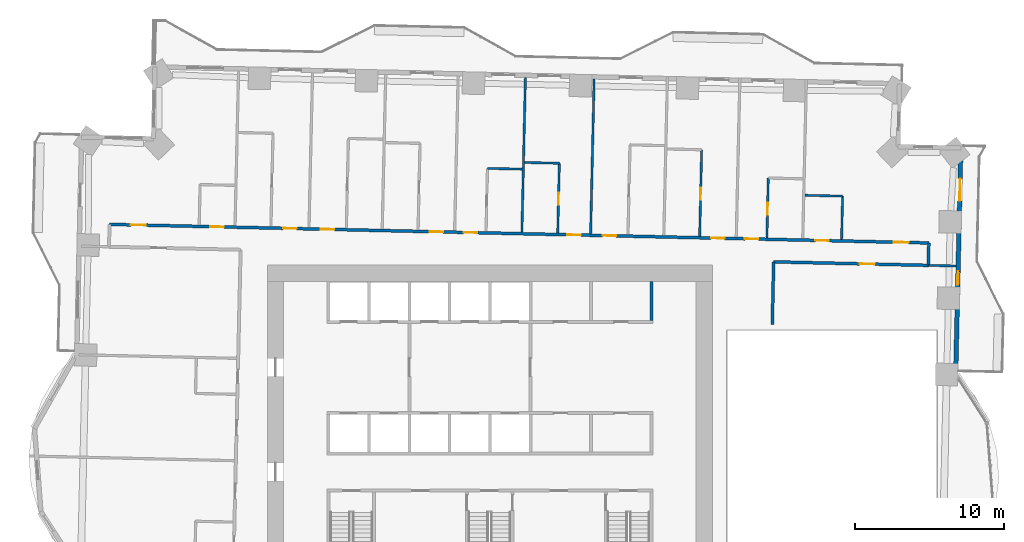
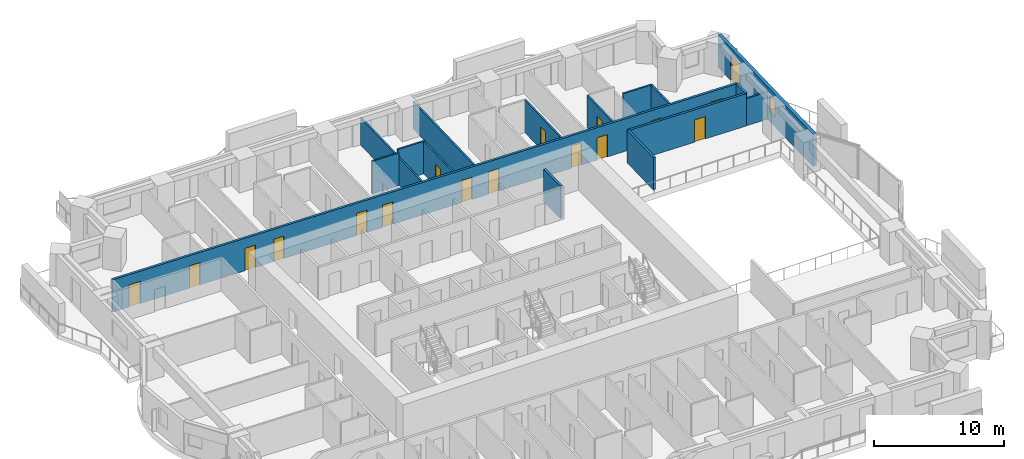
# One storey, part 12 of 19: 17 doors, 16 walls, 1 window, 18 openings.
"""IFC4 building model written with IfcOpenShell, lengths in metres."""

from ifc_helpers import new_model, si_unit, direction, frame, frame_2d, origin, place, context, subcontext, project, spatial, rectangle, extrude, material, layer, layer_set, type_object, element, fill, save


model = new_model("IFC4")

# Units and contexts
model_context = context("Model", 3, precision=1e-05, world=origin(), true_north=direction((0.0, 1.0)))
body_context = subcontext(model_context, "Body", "Model", "MODEL_VIEW")
ifc_project = project(units=[si_unit("LENGTHUNIT", "METRE"), si_unit("AREAUNIT", "SQUARE_METRE"), si_unit("VOLUMEUNIT", "CUBIC_METRE"), si_unit("PLANEANGLEUNIT", "RADIAN"), si_unit("MASSUNIT", "GRAM", prefix="KILO")], contexts=[model_context])

# Site, building, storey
site_placement = place(None, origin())
site = spatial("IfcSite", under=ifc_project, at=site_placement, CompositionType="ELEMENT")
building_placement = place(site_placement, origin())
building = spatial("IfcBuilding", under=site, at=building_placement, Name="Mangrove Gate Tower", CompositionType="ELEMENT")
storey_placement = place(building_placement, frame((0.0, 0.0, 63.89990234375)))
storey = spatial("IfcBuildingStorey", under=building, at=storey_placement, Name="L15", CompositionType="ELEMENT", Elevation=63.89990234375)

# Walls
ifc_material_1 = material(Name="Concrete C32/40", Category="concrete")
ifc_layer_1 = layer(ifc_material_1, 0.199951171875)
ifc_layer_set_1 = layer_set([ifc_layer_1], Name="Core room wall 200 C32/40")
wall_type_1 = type_object("IfcWallType", Name="Core room wall 200 C32/40", PredefinedType="STANDARD", material=ifc_layer_set_1)
wall_1_placement = place(storey_placement, frame((10.800048828125, 8.199951171875, 0.0), z_axis=(0.0, 0.0, 1.0), x_axis=(0.0, 1.0, 0.0)))
element("IfcWall", 1, at=wall_1_placement, inside=storey, type_object=wall_type_1, Name="WALL-L15-CORE-34", PredefinedType="STANDARD", context=body_context, shape_type="SweptSolid", body=[
    extrude(rectangle(XDim=2.60009765625, YDim=0.199951171875, at=frame_2d((1.300048828125, 0.0))), origin(), (0.0, 0.0, 1.0), 3.050048828125),
])
ifc_material_2 = material(Name="Gypsum board on steel stud, EI 60", Category="steel")
ifc_layer_2 = layer(ifc_material_2, 0.199951171875)
ifc_layer_set_2 = layer_set([ifc_layer_2], Name="Corridor wall EI 60")
wall_type_2 = type_object("IfcWallType", Name="Corridor wall EI 60", PredefinedType="PARTITIONING", material=ifc_layer_set_2)
wall_2_placement = place(storey_placement, frame((18.89111328125, 7.903076171875, 0.0), z_axis=(0.0, 0.0, 1.0), x_axis=(0.022807092041, 0.999739884446, 0.0)))
element("IfcWall", 2, at=wall_2_placement, inside=storey, type_object=wall_type_2, Name="WALL-L15-050", PredefinedType="PARTITIONING", context=body_context, shape_type="SweptSolid", body=[
    extrude(rectangle(XDim=4.206787109375, YDim=0.199951171875, at=frame_2d((2.103515625, 0.0))), origin(), (0.0, 0.0, 1.0), 3.050048828125),
])

# Wall, opening, door
wall_3_placement = place(storey_placement, frame((18.985107421875, 12.10888671875, 0.0), z_axis=(0.0, 0.0, 1.0), x_axis=(0.999742480592, -0.022693005506, 0.0)))
wall_3 = element("IfcWall", 3, at=wall_3_placement, inside=storey, type_object=wall_type_2, Name="WALL-L15-054", PredefinedType="PARTITIONING", context=body_context, shape_type="SweptSolid", body=[
    extrude(rectangle(XDim=10.349609375, YDim=0.199951171875, at=frame_2d((5.1748046875, 0.0))), origin(), (0.0, 0.0, 1.0), 3.050048828125),
])
opening_1_placement = place(wall_3_placement, frame((5.75, 0.0, 0.0)))
opening_1 = element("IfcOpeningElement", 4, at=opening_1_placement, cuts=wall_3, Name="Opening AD", PredefinedType="OPENING", context=body_context, shape_type="SweptSolid", body=[
    extrude(rectangle(XDim=1.0, YDim=2.10009765625, at=frame_2d((0.5, 1.050048828125))), frame((0.0, 0.10986328125, 0.0), z_axis=(0.0, -1.0, 0.0), x_axis=(1.0, 0.0, 0.0)), (0.0, 0.0, 1.0), 0.219970703125),
])
ifc_material_3 = material(Name="Timber door leaf", Category="wood")
door_type_1 = type_object("IfcDoorType", Name="Amenity door 1000", OperationType="SINGLE_SWING_LEFT", PredefinedType="DOOR", material=ifc_material_3)
door_1_placement = place(opening_1_placement, origin())
door_1 = element("IfcDoor", 5, at=door_1_placement, inside=storey, type_object=door_type_1, Name="DOOR-L15-KIT-c3a", OperationType="SINGLE_SWING_RIGHT", OverallHeight=2.10009765625, OverallWidth=1.0, PredefinedType="DOOR", context=body_context, shape_type="SweptSolid", body=[
    extrude(rectangle(XDim=1.0, YDim=2.10009765625, at=frame_2d((0.5, 1.050048828125))), frame((0.0, 0.02490234375, 0.0), z_axis=(0.0, -1.0, 0.0), x_axis=(1.0, 0.0, 0.0)), (0.0, 0.0, 1.0), 0.050048828125),
])
fill(opening_1, door_1)

# Wall
wall_4_placement = place(storey_placement, frame((29.333984375, 11.8740234375, 0.0), z_axis=(0.0, 0.0, 1.0), x_axis=(0.022617910375, 0.999744182344, 0.0)))
element("IfcWall", 6, at=wall_4_placement, inside=storey, type_object=wall_type_2, Name="WALL-L15-056", PredefinedType="PARTITIONING", context=body_context, shape_type="SweptSolid", body=[
    extrude(rectangle(XDim=1.50048828125, YDim=0.199951171875, at=frame_2d((0.750244140625, 0.0))), origin(), (0.0, 0.0, 1.0), 3.050048828125),
])

# Wall, openings, doors
wall_5_placement = place(storey_placement, frame((-25.4560546875, 14.617919921875, 0.0), z_axis=(0.0, 0.0, 1.0), x_axis=(0.999742687583, -0.0226838847, 0.0)))
wall_5 = element("IfcWall", 7, at=wall_5_placement, inside=storey, type_object=wall_type_2, Name="WALL-L15-057", PredefinedType="PARTITIONING", context=body_context, shape_type="SweptSolid", body=[
    extrude(rectangle(XDim=54.836181640625, YDim=0.199951171875, at=frame_2d((27.41796875, 0.0))), origin(), (0.0, 0.0, 1.0), 3.050048828125),
])
opening_2_placement = place(wall_5_placement, frame((52.492919921875, 0.0, 0.0)))
opening_2 = element("IfcOpeningElement", 8, at=opening_2_placement, cuts=wall_5, Name="Opening AD", PredefinedType="OPENING", context=body_context, shape_type="SweptSolid", body=[
    extrude(rectangle(XDim=1.0, YDim=2.10009765625, at=frame_2d((0.5, 1.050048828125))), frame((0.0, 0.10986328125, 0.0), z_axis=(0.0, -1.0, 0.0), x_axis=(1.0, 0.0, 0.0)), (0.0, 0.0, 1.0), 0.219970703125),
])
opening_3_placement = place(wall_5_placement, frame((47.25, 0.0, 0.0)))
opening_3 = element("IfcOpeningElement", 9, at=opening_3_placement, cuts=wall_5, Name="Opening SD", PredefinedType="OPENING", context=body_context, shape_type="SweptSolid", body=[
    extrude(rectangle(XDim=0.89990234375, YDim=2.10009765625, at=frame_2d((0.449951171875, 1.050048828125))), frame((0.0, 0.10986328125, 0.0), z_axis=(0.0, -1.0, 0.0), x_axis=(1.0, 0.0, 0.0)), (0.0, 0.0, 1.0), 0.219970703125),
])
opening_4_placement = place(wall_5_placement, frame((42.52490234375, 0.0, 0.0)))
opening_4 = element("IfcOpeningElement", 10, at=opening_4_placement, cuts=wall_5, Name="Opening BD", PredefinedType="OPENING", context=body_context, shape_type="SweptSolid", body=[
    extrude(rectangle(XDim=0.89990234375, YDim=2.10009765625, at=frame_2d((0.449951171875, 1.050048828125))), frame((0.0, 0.10986328125, 0.0), z_axis=(0.0, -1.0, 0.0), x_axis=(1.0, 0.0, 0.0)), (0.0, 0.0, 1.0), 0.219970703125),
])
opening_5_placement = place(wall_5_placement, frame((40.27490234375, 0.0, 0.0)))
opening_5 = element("IfcOpeningElement", 11, at=opening_5_placement, cuts=wall_5, Name="Opening BD", PredefinedType="OPENING", context=body_context, shape_type="SweptSolid", body=[
    extrude(rectangle(XDim=0.89990234375, YDim=2.10009765625, at=frame_2d((0.449951171875, 1.050048828125))), frame((0.0, 0.10986328125, 0.0), z_axis=(0.0, -1.0, 0.0), x_axis=(1.0, 0.0, 0.0)), (0.0, 0.0, 1.0), 0.219970703125),
])
opening_6_placement = place(wall_5_placement, frame((33.0, 0.0, 0.0)))
opening_6 = element("IfcOpeningElement", 12, at=opening_6_placement, cuts=wall_5, Name="Opening BD", PredefinedType="OPENING", context=body_context, shape_type="SweptSolid", body=[
    extrude(rectangle(XDim=0.89990234375, YDim=2.10009765625, at=frame_2d((0.449951171875, 1.050048828125))), frame((0.0, 0.10986328125, 0.0), z_axis=(0.0, -1.0, 0.0), x_axis=(1.0, 0.0, 0.0)), (0.0, 0.0, 1.0), 0.219970703125),
])
opening_7_placement = place(wall_5_placement, frame((30.64990234375, 0.0, 0.0)))
opening_7 = element("IfcOpeningElement", 13, at=opening_7_placement, cuts=wall_5, Name="Opening BD", PredefinedType="OPENING", context=body_context, shape_type="SweptSolid", body=[
    extrude(rectangle(XDim=0.89990234375, YDim=2.10009765625, at=frame_2d((0.449951171875, 1.050048828125))), frame((0.0, 0.10986328125, 0.0), z_axis=(0.0, -1.0, 0.0), x_axis=(1.0, 0.0, 0.0)), (0.0, 0.0, 1.0), 0.219970703125),
])
opening_8_placement = place(wall_5_placement, frame((23.699951171875, 0.0, 0.0)))
opening_8 = element("IfcOpeningElement", 14, at=opening_8_placement, cuts=wall_5, Name="Opening BD", PredefinedType="OPENING", context=body_context, shape_type="SweptSolid", body=[
    extrude(rectangle(XDim=0.89990234375, YDim=2.10009765625, at=frame_2d((0.449951171875, 1.050048828125))), frame((0.0, 0.10986328125, 0.0), z_axis=(0.0, -1.0, 0.0), x_axis=(1.0, 0.0, 0.0)), (0.0, 0.0, 1.0), 0.219970703125),
])
opening_9_placement = place(wall_5_placement, frame((21.425048828125, 0.0, 0.0)))
opening_9 = element("IfcOpeningElement", 15, at=opening_9_placement, cuts=wall_5, Name="Opening BD", PredefinedType="OPENING", context=body_context, shape_type="SweptSolid", body=[
    extrude(rectangle(XDim=0.89990234375, YDim=2.10009765625, at=frame_2d((0.449951171875, 1.050048828125))), frame((0.0, 0.10986328125, 0.0), z_axis=(0.0, -1.0, 0.0), x_axis=(1.0, 0.0, 0.0)), (0.0, 0.0, 1.0), 0.219970703125),
])
opening_10_placement = place(wall_5_placement, frame((14.14990234375, 0.0, 0.0)))
opening_10 = element("IfcOpeningElement", 16, at=opening_10_placement, cuts=wall_5, Name="Opening BD", PredefinedType="OPENING", context=body_context, shape_type="SweptSolid", body=[
    extrude(rectangle(XDim=0.89990234375, YDim=2.10009765625, at=frame_2d((0.449951171875, 1.050048828125))), frame((0.0, 0.10986328125, 0.0), z_axis=(0.0, -1.0, 0.0), x_axis=(1.0, 0.0, 0.0)), (0.0, 0.0, 1.0), 0.219970703125),
])
opening_11_placement = place(wall_5_placement, frame((11.625, 0.0, 0.0)))
opening_11 = element("IfcOpeningElement", 17, at=opening_11_placement, cuts=wall_5, Name="Opening BD", PredefinedType="OPENING", context=body_context, shape_type="SweptSolid", body=[
    extrude(rectangle(XDim=0.89990234375, YDim=2.10009765625, at=frame_2d((0.449951171875, 1.050048828125))), frame((0.0, 0.10986328125, 0.0), z_axis=(0.0, -1.0, 0.0), x_axis=(1.0, 0.0, 0.0)), (0.0, 0.0, 1.0), 0.219970703125),
])
opening_12_placement = place(wall_5_placement, frame((1.425048828125, 0.0, 0.0)))
opening_12 = element("IfcOpeningElement", 18, at=opening_12_placement, cuts=wall_5, Name="Opening AD", PredefinedType="OPENING", context=body_context, shape_type="SweptSolid", body=[
    extrude(rectangle(XDim=1.0, YDim=2.10009765625, at=frame_2d((0.5, 1.050048828125))), frame((0.0, 0.10986328125, 0.0), z_axis=(0.0, -1.0, 0.0), x_axis=(1.0, 0.0, 0.0)), (0.0, 0.0, 1.0), 0.219970703125),
])
opening_13_placement = place(wall_5_placement, frame((6.75, 0.0, 0.0)))
opening_13 = element("IfcOpeningElement", 19, at=opening_13_placement, cuts=wall_5, Name="Opening SD", PredefinedType="OPENING", context=body_context, shape_type="SweptSolid", body=[
    extrude(rectangle(XDim=0.89990234375, YDim=2.10009765625, at=frame_2d((0.449951171875, 1.050048828125))), frame((0.0, 0.10986328125, 0.0), z_axis=(0.0, -1.0, 0.0), x_axis=(1.0, 0.0, 0.0)), (0.0, 0.0, 1.0), 0.219970703125),
])
door_2_placement = place(opening_2_placement, origin())
door_2 = element("IfcDoor", 20, at=door_2_placement, inside=storey, type_object=door_type_1, Name="DOOR-L15-GAM-c3a", OperationType="SINGLE_SWING_LEFT", OverallHeight=2.10009765625, OverallWidth=1.0, PredefinedType="DOOR", context=body_context, shape_type="SweptSolid", body=[
    extrude(rectangle(XDim=1.0, YDim=2.10009765625, at=frame_2d((0.5, 1.050048828125))), frame((0.0, 0.02490234375, 0.0), z_axis=(0.0, -1.0, 0.0), x_axis=(1.0, 0.0, 0.0)), (0.0, 0.0, 1.0), 0.050048828125),
])
fill(opening_2, door_2)
door_3_placement = place(opening_12_placement, origin())
door_3 = element("IfcDoor", 21, at=door_3_placement, inside=storey, type_object=door_type_1, Name="DOOR-L15-KIT-c5a", OperationType="SINGLE_SWING_RIGHT", OverallHeight=2.10009765625, OverallWidth=1.0, PredefinedType="DOOR", context=body_context, shape_type="SweptSolid", body=[
    extrude(rectangle(XDim=1.0, YDim=2.10009765625, at=frame_2d((0.5, 1.050048828125))), frame((0.0, 0.02490234375, 0.0), z_axis=(0.0, -1.0, 0.0), x_axis=(1.0, 0.0, 0.0)), (0.0, 0.0, 1.0), 0.050048828125),
])
fill(opening_12, door_3)
ifc_material_4 = material(Name="Timber door leaf", Category="wood")
door_type_2 = type_object("IfcDoorType", Name="Bedroom door 900", OperationType="SINGLE_SWING_LEFT", PredefinedType="DOOR", material=ifc_material_4)
door_4_placement = place(opening_4_placement, origin())
door_4 = element("IfcDoor", 22, at=door_4_placement, inside=storey, type_object=door_type_2, Name="DOOR-L15-BED-c310", OperationType="SINGLE_SWING_RIGHT", OverallHeight=2.10009765625, OverallWidth=0.89990234375, PredefinedType="DOOR", context=body_context, shape_type="SweptSolid", body=[
    extrude(rectangle(XDim=0.89990234375, YDim=2.10009765625, at=frame_2d((0.449951171875, 1.050048828125))), frame((0.0, 0.02490234375, 0.0), z_axis=(0.0, -1.0, 0.0), x_axis=(1.0, 0.0, 0.0)), (0.0, 0.0, 1.0), 0.050048828125),
])
fill(opening_4, door_4)
door_5_placement = place(opening_5_placement, origin())
door_5 = element("IfcDoor", 23, at=door_5_placement, inside=storey, type_object=door_type_2, Name="DOOR-L15-BED-c311", OperationType="SINGLE_SWING_LEFT", OverallHeight=2.10009765625, OverallWidth=0.89990234375, PredefinedType="DOOR", context=body_context, shape_type="SweptSolid", body=[
    extrude(rectangle(XDim=0.89990234375, YDim=2.10009765625, at=frame_2d((0.449951171875, 1.050048828125))), frame((0.0, 0.02490234375, 0.0), z_axis=(0.0, -1.0, 0.0), x_axis=(1.0, 0.0, 0.0)), (0.0, 0.0, 1.0), 0.050048828125),
])
fill(opening_5, door_5)
door_6_placement = place(opening_6_placement, origin())
door_6 = element("IfcDoor", 24, at=door_6_placement, inside=storey, type_object=door_type_2, Name="DOOR-L15-BED-c412", OperationType="SINGLE_SWING_RIGHT", OverallHeight=2.10009765625, OverallWidth=0.89990234375, PredefinedType="DOOR", context=body_context, shape_type="SweptSolid", body=[
    extrude(rectangle(XDim=0.89990234375, YDim=2.10009765625, at=frame_2d((0.449951171875, 1.050048828125))), frame((0.0, 0.02490234375, 0.0), z_axis=(0.0, -1.0, 0.0), x_axis=(1.0, 0.0, 0.0)), (0.0, 0.0, 1.0), 0.050048828125),
])
fill(opening_6, door_6)
door_7_placement = place(opening_7_placement, origin())
door_7 = element("IfcDoor", 25, at=door_7_placement, inside=storey, type_object=door_type_2, Name="DOOR-L15-BED-c413", OperationType="SINGLE_SWING_LEFT", OverallHeight=2.10009765625, OverallWidth=0.89990234375, PredefinedType="DOOR", context=body_context, shape_type="SweptSolid", body=[
    extrude(rectangle(XDim=0.89990234375, YDim=2.10009765625, at=frame_2d((0.449951171875, 1.050048828125))), frame((0.0, 0.02490234375, 0.0), z_axis=(0.0, -1.0, 0.0), x_axis=(1.0, 0.0, 0.0)), (0.0, 0.0, 1.0), 0.050048828125),
])
fill(opening_7, door_7)
door_8_placement = place(opening_8_placement, origin())
door_8 = element("IfcDoor", 26, at=door_8_placement, inside=storey, type_object=door_type_2, Name="DOOR-L15-BED-c414", OperationType="SINGLE_SWING_RIGHT", OverallHeight=2.10009765625, OverallWidth=0.89990234375, PredefinedType="DOOR", context=body_context, shape_type="SweptSolid", body=[
    extrude(rectangle(XDim=0.89990234375, YDim=2.10009765625, at=frame_2d((0.449951171875, 1.050048828125))), frame((0.0, 0.02490234375, 0.0), z_axis=(0.0, -1.0, 0.0), x_axis=(1.0, 0.0, 0.0)), (0.0, 0.0, 1.0), 0.050048828125),
])
fill(opening_8, door_8)
door_9_placement = place(opening_9_placement, origin())
door_9 = element("IfcDoor", 27, at=door_9_placement, inside=storey, type_object=door_type_2, Name="DOOR-L15-BED-c515", OperationType="SINGLE_SWING_LEFT", OverallHeight=2.10009765625, OverallWidth=0.89990234375, PredefinedType="DOOR", context=body_context, shape_type="SweptSolid", body=[
    extrude(rectangle(XDim=0.89990234375, YDim=2.10009765625, at=frame_2d((0.449951171875, 1.050048828125))), frame((0.0, 0.02490234375, 0.0), z_axis=(0.0, -1.0, 0.0), x_axis=(1.0, 0.0, 0.0)), (0.0, 0.0, 1.0), 0.050048828125),
])
fill(opening_9, door_9)
door_10_placement = place(opening_10_placement, origin())
door_10 = element("IfcDoor", 28, at=door_10_placement, inside=storey, type_object=door_type_2, Name="DOOR-L15-BED-c516", OperationType="SINGLE_SWING_RIGHT", OverallHeight=2.10009765625, OverallWidth=0.89990234375, PredefinedType="DOOR", context=body_context, shape_type="SweptSolid", body=[
    extrude(rectangle(XDim=0.89990234375, YDim=2.10009765625, at=frame_2d((0.449951171875, 1.050048828125))), frame((0.0, 0.02490234375, 0.0), z_axis=(0.0, -1.0, 0.0), x_axis=(1.0, 0.0, 0.0)), (0.0, 0.0, 1.0), 0.050048828125),
])
fill(opening_10, door_10)
door_11_placement = place(opening_11_placement, origin())
door_11 = element("IfcDoor", 29, at=door_11_placement, inside=storey, type_object=door_type_2, Name="DOOR-L15-BED-c517", OperationType="SINGLE_SWING_LEFT", OverallHeight=2.10009765625, OverallWidth=0.89990234375, PredefinedType="DOOR", context=body_context, shape_type="SweptSolid", body=[
    extrude(rectangle(XDim=0.89990234375, YDim=2.10009765625, at=frame_2d((0.449951171875, 1.050048828125))), frame((0.0, 0.02490234375, 0.0), z_axis=(0.0, -1.0, 0.0), x_axis=(1.0, 0.0, 0.0)), (0.0, 0.0, 1.0), 0.050048828125),
])
fill(opening_11, door_11)
ifc_material_5 = material(Name="Timber door leaf", Category="wood")
door_type_3 = type_object("IfcDoorType", Name="Service room door 900", OperationType="SINGLE_SWING_LEFT", PredefinedType="DOOR", material=ifc_material_5)
door_12_placement = place(opening_3_placement, origin())
door_12 = element("IfcDoor", 30, at=door_12_placement, inside=storey, type_object=door_type_3, Name="DOOR-L15-AWC-c3a", OperationType="SINGLE_SWING_LEFT", OverallHeight=2.10009765625, OverallWidth=0.89990234375, PredefinedType="DOOR", context=body_context, shape_type="SweptSolid", body=[
    extrude(rectangle(XDim=0.89990234375, YDim=2.10009765625, at=frame_2d((0.449951171875, 1.050048828125))), frame((0.0, 0.02490234375, 0.0), z_axis=(0.0, -1.0, 0.0), x_axis=(1.0, 0.0, 0.0)), (0.0, 0.0, 1.0), 0.050048828125),
])
fill(opening_3, door_12)
door_13_placement = place(opening_13_placement, origin())
door_13 = element("IfcDoor", 31, at=door_13_placement, inside=storey, type_object=door_type_3, Name="DOOR-L15-WC-c5a", OperationType="SINGLE_SWING_RIGHT", OverallHeight=2.10009765625, OverallWidth=0.89990234375, PredefinedType="DOOR", context=body_context, shape_type="SweptSolid", body=[
    extrude(rectangle(XDim=0.89990234375, YDim=2.10009765625, at=frame_2d((0.449951171875, 1.050048828125))), frame((0.0, 0.02490234375, 0.0), z_axis=(0.0, -1.0, 0.0), x_axis=(1.0, 0.0, 0.0)), (0.0, 0.0, 1.0), 0.050048828125),
])
fill(opening_13, door_13)

# Wall, openings, door, window
ifc_material_6 = material(Name="Limestone", Category="masonry")
ifc_layer_3 = layer(ifc_material_6, 0.0400390625, Name="Limestone cladding")
ifc_material_7 = material(Name="Ventilated air gap")
ifc_layer_4 = layer(ifc_material_7, 0.0400390625, Name="Ventilated cavity")
ifc_material_8 = material(Name="Mineral wool insulation")
ifc_layer_5 = layer(ifc_material_8, 0.06005859375, Name="Insulation")
ifc_material_9 = material(Name="Breather membrane")
ifc_layer_6 = layer(ifc_material_9, 0.001953125, Name="Breather membrane")
ifc_material_10 = material(Name="Concrete C20/25 blockwork", Category="masonry")
ifc_layer_7 = layer(ifc_material_10, 0.14990234375, Name="Blockwork backing wall")
ifc_material_11 = material(Name="Gypsum plaster")
ifc_layer_8 = layer(ifc_material_11, 0.008056640625, Name="Internal plaster")
ifc_layer_set_3 = layer_set([ifc_layer_3, ifc_layer_4, ifc_layer_5, ifc_layer_6, ifc_layer_7, ifc_layer_8], Name="External wall 300 limestone cladding")
wall_type_3 = type_object("IfcWallType", Name="External wall 300 limestone cladding", PredefinedType="SOLIDWALL", material=ifc_layer_set_3)
wall_6_placement = place(storey_placement, frame((31.1650390625, 4.501953125, 0.0), z_axis=(0.0, 0.0, 1.0), x_axis=(0.022716307128, 0.999741951401, 0.0)))
wall_6 = element("IfcWall", 32, at=wall_6_placement, inside=storey, type_object=wall_type_3, Name="WALL-L15-E2", PredefinedType="SOLIDWALL", context=body_context, shape_type="SweptSolid", body=[
    extrude(rectangle(XDim=15.22900390625, YDim=0.300048828125, at=frame_2d((7.614501953125, 0.0))), origin(), (0.0, 0.0, 1.0), 3.050048828125),
])
opening_14_placement = place(wall_6_placement, frame((6.072021484375, 0.0, 0.89990234375)))
opening_14 = element("IfcOpeningElement", 33, at=opening_14_placement, cuts=wall_6, Name="Opening W5", PredefinedType="OPENING", context=body_context, shape_type="SweptSolid", body=[
    extrude(rectangle(XDim=0.89990234375, YDim=1.5, at=frame_2d((0.449951171875, 0.75))), frame((0.0, 0.159912109375, 0.0), z_axis=(0.0, -1.0, 0.0), x_axis=(1.0, 0.0, 0.0)), (0.0, 0.0, 1.0), 0.320068359375),
])
opening_15_placement = place(wall_6_placement, frame((11.68408203125, 0.0, 0.0)))
opening_15 = element("IfcOpeningElement", 34, at=opening_15_placement, cuts=wall_6, Name="Opening BD1", PredefinedType="OPENING", context=body_context, shape_type="SweptSolid", body=[
    extrude(rectangle(XDim=1.5, YDim=2.39990234375, at=frame_2d((0.75, 1.199951171875))), frame((0.0, 0.159912109375, 0.0), z_axis=(0.0, -1.0, 0.0), x_axis=(1.0, 0.0, 0.0)), (0.0, 0.0, 1.0), 0.320068359375),
])
ifc_material_12 = material(Name="Aluminium frame with laminated clear glass", Category="aluminium")
door_type_4 = type_object("IfcDoorType", Name="Balcony sliding door 1500x2400", OperationType="SLIDING_TO_LEFT", PredefinedType="DOOR", material=ifc_material_12)
door_14_placement = place(opening_15_placement, origin())
door_14 = element("IfcDoor", 35, at=door_14_placement, inside=storey, type_object=door_type_4, Name="DOOR-L15-E2-2", OperationType="SLIDING_TO_LEFT", OverallHeight=2.39990234375, OverallWidth=1.5, PredefinedType="DOOR", context=body_context, shape_type="SweptSolid", body=[
    extrude(rectangle(XDim=1.5, YDim=2.39990234375, at=frame_2d((0.75, 1.199951171875))), frame((0.0, 0.02490234375, 0.0), z_axis=(0.0, -1.0, 0.0), x_axis=(1.0, 0.0, 0.0)), (0.0, 0.0, 1.0), 0.050048828125),
])
fill(opening_15, door_14)
ifc_material_13 = material(Name="Aluminium frame with double-glazed low-e glass", Category="aluminium")
window_type = type_object("IfcWindowType", Name="Narrow window 900x1500", PartitioningType="SINGLE_PANEL", PredefinedType="WINDOW", material=ifc_material_13)
window_placement = place(opening_14_placement, origin())
window = element("IfcWindow", 36, at=window_placement, inside=storey, type_object=window_type, Name="WIN-L15-E2-1", OverallHeight=1.5, OverallWidth=0.89990234375, PartitioningType="SINGLE_PANEL", PredefinedType="WINDOW", context=body_context, shape_type="SweptSolid", body=[
    extrude(rectangle(XDim=0.89990234375, YDim=1.5, at=frame_2d((0.449951171875, 0.75))), frame((0.0, 0.030029296875, 0.0), z_axis=(0.0, -1.0, 0.0), x_axis=(1.0, 0.0, 0.0)), (0.0, 0.0, 1.0), 0.06005859375),
])
fill(opening_14, window)

# Walls
ifc_material_14 = material(Name="Gypsum board on steel stud, EI 60", Category="steel")
ifc_layer_9 = layer(ifc_material_14, 0.14990234375)
ifc_layer_set_4 = layer_set([ifc_layer_9], Name="Party wall 150 EI 60")
wall_type_4 = type_object("IfcWallType", Name="Party wall 150 EI 60", PredefinedType="PARTITIONING", material=ifc_layer_set_4)
wall_7_placement = place(storey_placement, frame((29.33203125, 11.8740234375, 0.0), z_axis=(0.0, 0.0, 1.0), x_axis=(0.999742448242, -0.022694430658, 0.0)))
element("IfcWall", 37, at=wall_7_placement, inside=storey, type_object=wall_type_4, Name="WALL-L15-055", PredefinedType="PARTITIONING", context=body_context, shape_type="SweptSolid", body=[
    extrude(rectangle(XDim=1.850341796875, YDim=0.14990234375, at=frame_2d((0.92529296875, 0.0))), origin(), (0.0, 0.0, 1.0), 2.550048828125),
])
wall_8_placement = place(storey_placement, frame((2.136962890625, 14.092041015625, 0.0), z_axis=(0.0, 0.0, 1.0), x_axis=(0.022716582742, 0.999741945138, 0.0)))
element("IfcWall", 38, at=wall_8_placement, inside=storey, type_object=wall_type_4, Name="WALL-L15-067", PredefinedType="PARTITIONING", context=body_context, shape_type="SweptSolid", body=[
    extrude(rectangle(XDim=10.349609375, YDim=0.14990234375, at=frame_2d((5.1748046875, 0.0))), origin(), (0.0, 0.0, 1.0), 2.550048828125),
])

# Wall, opening, door
wall_9_placement = place(storey_placement, frame((4.537109375, 14.037109375, 0.0), z_axis=(0.0, 0.0, 1.0), x_axis=(0.022688155425, 0.999742590672, 0.0)))
wall_9 = element("IfcWall", 39, at=wall_9_placement, inside=storey, type_object=wall_type_4, Name="WALL-L15-068", PredefinedType="PARTITIONING", context=body_context, shape_type="SweptSolid", body=[
    extrude(rectangle(XDim=4.670166015625, YDim=0.14990234375, at=frame_2d((2.3349609375, 0.0))), origin(), (0.0, 0.0, 1.0), 3.050048828125),
])
opening_16_placement = place(wall_9_placement, frame((1.885009765625, 0.0, 0.0)))
opening_16 = element("IfcOpeningElement", 40, at=opening_16_placement, cuts=wall_9, Name="Opening ED", PredefinedType="OPENING", context=body_context, shape_type="SweptSolid", body=[
    extrude(rectangle(XDim=0.800048828125, YDim=2.10009765625, at=frame_2d((0.39990234375, 1.050048828125))), frame((0.0, 0.0849609375, 0.0), z_axis=(0.0, -1.0, 0.0), x_axis=(1.0, 0.0, 0.0)), (0.0, 0.0, 1.0), 0.169921875),
])
ifc_material_15 = material(Name="Timber door leaf", Category="wood")
door_type_5 = type_object("IfcDoorType", Name="En-suite door 800", OperationType="SINGLE_SWING_LEFT", PredefinedType="DOOR", material=ifc_material_15)
door_15_placement = place(opening_16_placement, origin())
door_15 = element("IfcDoor", 41, at=door_15_placement, inside=storey, type_object=door_type_5, Name="DOOR-L15-ENS-c413", OperationType="SINGLE_SWING_LEFT", OverallHeight=2.10009765625, OverallWidth=0.800048828125, PredefinedType="DOOR", context=body_context, shape_type="SweptSolid", body=[
    extrude(rectangle(XDim=0.800048828125, YDim=2.10009765625, at=frame_2d((0.39990234375, 1.050048828125))), frame((0.0, 0.02490234375, 0.0), z_axis=(0.0, -1.0, 0.0), x_axis=(1.0, 0.0, 0.0)), (0.0, 0.0, 1.0), 0.050048828125),
])
fill(opening_16, door_15)

# Wall
wall_10_placement = place(storey_placement, frame((6.736083984375, 13.988037109375, 0.0), z_axis=(0.0, 0.0, 1.0), x_axis=(0.022693005506, 0.999742480592, 0.0)))
element("IfcWall", 42, at=wall_10_placement, inside=storey, type_object=wall_type_4, Name="WALL-L15-069", PredefinedType="PARTITIONING", context=body_context, shape_type="SweptSolid", body=[
    extrude(rectangle(XDim=10.349609375, YDim=0.14990234375, at=frame_2d((5.1748046875, 0.0))), origin(), (0.0, 0.0, 1.0), 2.550048828125),
])

# Wall, opening, door
wall_11_placement = place(storey_placement, frame((14.033935546875, 13.822021484375, 0.0), z_axis=(0.0, 0.0, 1.0), x_axis=(0.022813362582, 0.999739741377, 0.0)))
wall_11 = element("IfcWall", 43, at=wall_11_placement, inside=storey, type_object=wall_type_4, Name="WALL-L15-072", PredefinedType="PARTITIONING", context=body_context, shape_type="SweptSolid", body=[
    extrude(rectangle(XDim=5.78955078125, YDim=0.14990234375, at=frame_2d((2.894775390625, 0.0))), origin(), (0.0, 0.0, 1.0), 3.050048828125),
])
opening_17_placement = place(wall_11_placement, frame((2.445068359375, 0.0, 0.0)))
opening_17 = element("IfcOpeningElement", 44, at=opening_17_placement, cuts=wall_11, Name="Opening ED", PredefinedType="OPENING", context=body_context, shape_type="SweptSolid", body=[
    extrude(rectangle(XDim=0.800048828125, YDim=2.10009765625, at=frame_2d((0.39990234375, 1.050048828125))), frame((0.0, 0.0849609375, 0.0), z_axis=(0.0, -1.0, 0.0), x_axis=(1.0, 0.0, 0.0)), (0.0, 0.0, 1.0), 0.169921875),
])
door_16_placement = place(opening_17_placement, origin())
door_16 = element("IfcDoor", 45, at=door_16_placement, inside=storey, type_object=door_type_5, Name="DOOR-L15-ENS-c311", OperationType="SINGLE_SWING_LEFT", OverallHeight=2.10009765625, OverallWidth=0.800048828125, PredefinedType="DOOR", context=body_context, shape_type="SweptSolid", body=[
    extrude(rectangle(XDim=0.800048828125, YDim=2.10009765625, at=frame_2d((0.39990234375, 1.050048828125))), frame((0.0, 0.02490234375, 0.0), z_axis=(0.0, -1.0, 0.0), x_axis=(1.0, 0.0, 0.0)), (0.0, 0.0, 1.0), 0.050048828125),
])
fill(opening_17, door_16)

wall_12_placement = place(storey_placement, frame((18.532958984375, 13.719970703125, 0.0), z_axis=(0.0, 0.0, 1.0), x_axis=(0.022765770952, 0.999740826251, 0.0)))
wall_12 = element("IfcWall", 46, at=wall_12_placement, inside=storey, type_object=wall_type_4, Name="WALL-L15-074", PredefinedType="PARTITIONING", context=body_context, shape_type="SweptSolid", body=[
    extrude(rectangle(XDim=4.0, YDim=0.14990234375, at=frame_2d((2.0, 0.0))), origin(), (0.0, 0.0, 1.0), 3.050048828125),
])
opening_18_placement = place(wall_12_placement, frame((1.550048828125, 0.0, 0.0)))
opening_18 = element("IfcOpeningElement", 47, at=opening_18_placement, cuts=wall_12, Name="Opening ED", PredefinedType="OPENING", context=body_context, shape_type="SweptSolid", body=[
    extrude(rectangle(XDim=0.800048828125, YDim=2.10009765625, at=frame_2d((0.39990234375, 1.050048828125))), frame((0.0, 0.0849609375, 0.0), z_axis=(0.0, -1.0, 0.0), x_axis=(1.0, 0.0, 0.0)), (0.0, 0.0, 1.0), 0.169921875),
])
door_17_placement = place(opening_18_placement, origin())
door_17 = element("IfcDoor", 48, at=door_17_placement, inside=storey, type_object=door_type_5, Name="DOOR-L15-ENS-c310", OperationType="SINGLE_SWING_RIGHT", OverallHeight=2.10009765625, OverallWidth=0.800048828125, PredefinedType="DOOR", context=body_context, shape_type="SweptSolid", body=[
    extrude(rectangle(XDim=0.800048828125, YDim=2.10009765625, at=frame_2d((0.39990234375, 1.050048828125))), frame((0.0, 0.02490234375, 0.0), z_axis=(0.0, -1.0, 0.0), x_axis=(1.0, 0.0, 0.0)), (0.0, 0.0, 1.0), 0.050048828125),
])
fill(opening_18, door_17)

# Walls
wall_13_placement = place(storey_placement, frame((23.531982421875, 13.60595703125, 0.0), z_axis=(0.0, 0.0, 1.0), x_axis=(0.022723317103, 0.999741792094, 0.0)))
element("IfcWall", 49, at=wall_13_placement, inside=storey, type_object=wall_type_4, Name="WALL-L15-076", PredefinedType="PARTITIONING", context=body_context, shape_type="SweptSolid", body=[
    extrude(rectangle(XDim=2.90087890625, YDim=0.14990234375, at=frame_2d((1.450439453125, 0.0))), origin(), (0.0, 0.0, 1.0), 3.050048828125),
])
wall_14_placement = place(storey_placement, frame((21.074951171875, 16.56298828125, 0.0), z_axis=(0.0, 0.0, 1.0), x_axis=(0.999746356616, -0.022521599255, 0.0)))
element("IfcWall", 50, at=wall_14_placement, inside=storey, type_object=wall_type_4, Name="WALL-L15-078", PredefinedType="PARTITIONING", context=body_context, shape_type="SweptSolid", body=[
    extrude(rectangle(XDim=2.52587890625, YDim=0.14990234375, at=frame_2d((1.262939453125, 0.0))), origin(), (0.0, 0.0, 1.0), 3.050048828125),
])
wall_15_placement = place(storey_placement, frame((-0.1640625, 18.364990234375, 0.0), z_axis=(0.0, 0.0, 1.0), x_axis=(0.999740260747, -0.02279059109, 0.0)))
element("IfcWall", 51, at=wall_15_placement, inside=storey, type_object=wall_type_4, Name="WALL-L15-080", PredefinedType="PARTITIONING", context=body_context, shape_type="SweptSolid", body=[
    extrude(rectangle(XDim=2.324462890625, YDim=0.14990234375, at=frame_2d((1.162109375, 0.0))), origin(), (0.0, 0.0, 1.0), 3.050048828125),
])
wall_16_placement = place(storey_placement, frame((2.320068359375, 18.759033203125, 0.0), z_axis=(0.0, 0.0, 1.0), x_axis=(0.999740478815, -0.022781023197, 0.0)))
element("IfcWall", 52, at=wall_16_placement, inside=storey, type_object=wall_type_4, Name="WALL-L15-081", PredefinedType="PARTITIONING", context=body_context, shape_type="SweptSolid", body=[
    extrude(rectangle(XDim=2.325439453125, YDim=0.14990234375, at=frame_2d((1.16259765625, 0.0))), origin(), (0.0, 0.0, 1.0), 3.050048828125),
])

save(model, "model.ifc")
